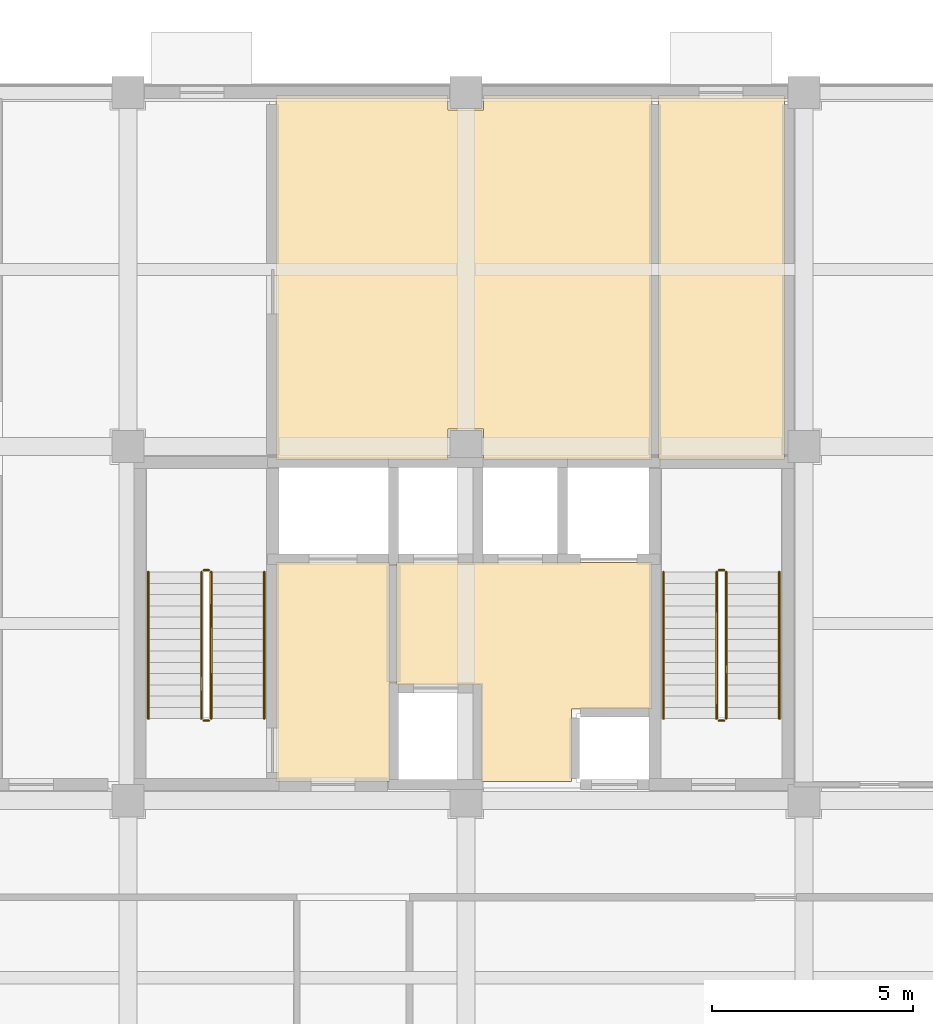
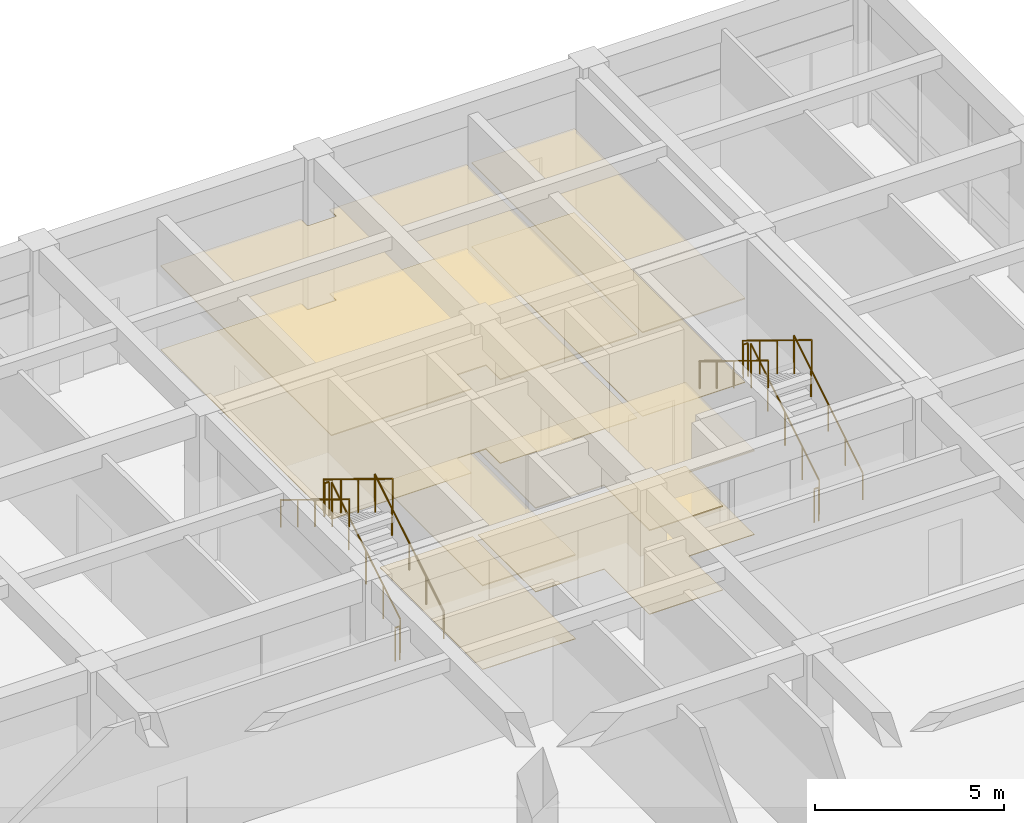
# One storey, part 57 of 58: 12 railings, 8 coverings.
"""IFC4 building model written with IfcOpenShell, lengths in metres."""

from ifc_helpers import new_model, si_unit, direction, frame, origin, origin_2d, place, context, subcontext, project, spatial, polyline, circle, outline, extrude, material, layer, layer_set, type_object, element, save


model = new_model("IFC4")

# Units and contexts
model_context = context("Model", 3, precision=1e-05, world=origin(), true_north=direction((0.0, 1.0)))
body_context = subcontext(model_context, "Body", "Model", "MODEL_VIEW")
ifc_project = project(units=[si_unit("LENGTHUNIT", "METRE"), si_unit("AREAUNIT", "SQUARE_METRE"), si_unit("VOLUMEUNIT", "CUBIC_METRE"), si_unit("PLANEANGLEUNIT", "RADIAN"), si_unit("MASSUNIT", "GRAM", prefix="KILO")], contexts=[model_context])

# Site, building, storey
site_placement = place(None, origin())
site = spatial("IfcSite", under=ifc_project, at=site_placement, CompositionType="ELEMENT")
building_placement = place(site_placement, origin())
building = spatial("IfcBuilding", under=site, at=building_placement, Name="Kemercrest Conservatory and Botanical Centre", CompositionType="ELEMENT")
storey_placement = place(building_placement, origin())
storey = spatial("IfcBuildingStorey", under=building, at=storey_placement, Name="L00", CompositionType="ELEMENT", Elevation=0.0)

# Coverings
ifc_material_1 = material(Name="Perforated acoustic gypsum and mineral-fibre suspended ceiling", Category="gypsum")
ifc_layer_1 = layer(ifc_material_1, 0.034912109375)
ifc_layer_set_1 = layer_set([ifc_layer_1], Name="Perforated acoustic gypsum and mineral-fibre suspended ceiling")
covering_type_1 = type_object("IfcCoveringType", Name="CV-CLG035", PredefinedType="CEILING", material=ifc_layer_set_1)
covering_1_placement = place(storey_placement, frame((0.0, 0.0, 2.699951171875)))
element("IfcCovering", 1, at=covering_1_placement, inside=storey, type_object=covering_type_1, Name="Firefighting Lobby suspended acoustic ceiling", PredefinedType="CEILING", context=body_context, shape_type="SweptSolid", body=[
    extrude(outline(polyline([(154.47998046875, 105.280029296875), (157.320068359375, 105.280029296875), (157.320068359375, 110.719970703125), (154.47998046875, 110.719970703125), (154.47998046875, 105.280029296875)])), origin(), (0.0, 0.0, 1.0), 0.03515625),
])
covering_2_placement = place(storey_placement, frame((0.0, 0.0, 2.699951171875)))
element("IfcCovering", 2, at=covering_2_placement, inside=storey, type_object=covering_type_1, Name="Tower Lift Lobby suspended acoustic ceiling", PredefinedType="CEILING", context=body_context, shape_type="SweptSolid", body=[
    extrude(outline(polyline([(159.580078125, 107.679931640625), (159.580078125, 105.280029296875), (161.820068359375, 105.280029296875), (161.820068359375, 107.080078125), (163.820068359375, 107.080078125), (163.820068359375, 110.719970703125), (157.47998046875, 110.719970703125), (157.47998046875, 107.679931640625), (159.580078125, 107.679931640625)])), origin(), (0.0, 0.0, 1.0), 0.03515625),
])
covering_3_placement = place(storey_placement, frame((0.0, 0.0, 2.699951171875)))
element("IfcCovering", 3, at=covering_3_placement, inside=storey, type_object=covering_type_1, Name="North Exit Passage B suspended acoustic ceiling", PredefinedType="CEILING", context=body_context, shape_type="SweptSolid", body=[
    extrude(outline(polyline([(163.97998046875, 113.280029296875), (167.1201171875, 113.280029296875), (167.1201171875, 122.320068359375), (163.97998046875, 122.320068359375), (163.97998046875, 113.280029296875)])), origin(), (0.0, 0.0, 1.0), 0.03515625),
])
covering_4_placement = place(storey_placement, frame((0.0, 0.0, 2.699951171875)))
element("IfcCovering", 4, at=covering_4_placement, inside=storey, type_object=covering_type_1, Name="Fire Command Room suspended acoustic ceiling", PredefinedType="CEILING", context=body_context, shape_type="SweptSolid", body=[
    extrude(outline(polyline([(159.639892578125, 113.280029296875), (163.820068359375, 113.280029296875), (163.820068359375, 122.320068359375), (159.639892578125, 122.320068359375), (159.639892578125, 121.9599609375), (158.760009765625, 121.9599609375), (158.760009765625, 122.320068359375), (154.47998046875, 122.320068359375), (154.47998046875, 113.280029296875), (158.760009765625, 113.280029296875), (158.760009765625, 114.0400390625), (159.639892578125, 114.0400390625), (159.639892578125, 113.280029296875)])), origin(), (0.0, 0.0, 1.0), 0.03515625),
])
ifc_material_2 = material(Name="Polished limestone terrazzo and seamless laboratory epoxy flooring", Category="masonry")
ifc_layer_2 = layer(ifc_material_2, 0.02001953125)
ifc_layer_set_2 = layer_set([ifc_layer_2], Name="Polished limestone terrazzo and seamless laboratory epoxy flooring")
covering_type_2 = type_object("IfcCoveringType", Name="CV-FLR020", PredefinedType="FLOORING", material=ifc_layer_set_2)
covering_5_placement = place(storey_placement, origin())
element("IfcCovering", 5, at=covering_5_placement, inside=storey, type_object=covering_type_2, Name="Firefighting Lobby floor finish", PredefinedType="FLOORING", context=body_context, shape_type="SweptSolid", body=[
    extrude(outline(polyline([(154.47998046875, 105.280029296875), (157.320068359375, 105.280029296875), (157.320068359375, 110.719970703125), (154.47998046875, 110.719970703125), (154.47998046875, 105.280029296875)])), origin(), (0.0, 0.0, 1.0), 0.02001953125),
])
covering_6_placement = place(storey_placement, origin())
element("IfcCovering", 6, at=covering_6_placement, inside=storey, type_object=covering_type_2, Name="Tower Lift Lobby floor finish", PredefinedType="FLOORING", context=body_context, shape_type="SweptSolid", body=[
    extrude(outline(polyline([(159.580078125, 107.679931640625), (159.580078125, 105.280029296875), (161.820068359375, 105.280029296875), (161.820068359375, 107.080078125), (163.820068359375, 107.080078125), (163.820068359375, 110.719970703125), (157.47998046875, 110.719970703125), (157.47998046875, 107.679931640625), (159.580078125, 107.679931640625)])), origin(), (0.0, 0.0, 1.0), 0.02001953125),
])
covering_7_placement = place(storey_placement, origin())
element("IfcCovering", 7, at=covering_7_placement, inside=storey, type_object=covering_type_2, Name="North Exit Passage B floor finish", PredefinedType="FLOORING", context=body_context, shape_type="SweptSolid", body=[
    extrude(outline(polyline([(163.97998046875, 113.280029296875), (167.1201171875, 113.280029296875), (167.1201171875, 122.320068359375), (163.97998046875, 122.320068359375), (163.97998046875, 113.280029296875)])), origin(), (0.0, 0.0, 1.0), 0.02001953125),
])
covering_8_placement = place(storey_placement, origin())
element("IfcCovering", 8, at=covering_8_placement, inside=storey, type_object=covering_type_2, Name="Fire Command Room floor finish", PredefinedType="FLOORING", context=body_context, shape_type="SweptSolid", body=[
    extrude(outline(polyline([(159.639892578125, 113.280029296875), (163.820068359375, 113.280029296875), (163.820068359375, 122.320068359375), (159.639892578125, 122.320068359375), (159.639892578125, 121.9599609375), (158.760009765625, 121.9599609375), (158.760009765625, 122.320068359375), (154.47998046875, 122.320068359375), (154.47998046875, 113.280029296875), (158.760009765625, 113.280029296875), (158.760009765625, 114.0400390625), (159.639892578125, 114.0400390625), (159.639892578125, 113.280029296875)])), origin(), (0.0, 0.0, 1.0), 0.02001953125),
])

# Railings
ifc_material_3 = material(Name="Painted galvanized steel tubular stair guardrail", Category="steel")
railing_type_1 = type_object("IfcRailingType", Name="GR-STR110", PredefinedType="GUARDRAIL", material=ifc_material_3)
railing_1_placement = place(storey_placement, frame((152.8701171875, 106.840087890625, 0.17138671875)))
element("IfcRailing", 9, at=railing_1_placement, inside=storey, type_object=railing_type_1, Name="L00 ST-V4A stair guard 1", PredefinedType="GUARDRAIL", context=body_context, shape_type="SweptSolid", body=[
    extrude(circle(Radius=0.02392578125, at=origin_2d()), frame((0.0, 0.0, 1.076171875), z_axis=(0.0, 0.852850264322, 0.5221555579), x_axis=(-1.0, 0.0, 0.0)), (0.0, 0.0, 1.0), 4.267822265625),
    extrude(circle(Radius=0.02099609375, at=origin_2d()), origin(), (0.0, 0.0, 1.0), 1.052001953125),
    extrude(circle(Radius=0.02099609375, at=origin_2d()), frame((0.0, 0.909912109375, 0.55712890625)), (0.0, 0.0, 1.0), 1.052001953125),
    extrude(circle(Radius=0.02099609375, at=origin_2d()), frame((0.0, 1.81982421875, 1.1142578125)), (0.0, 0.0, 1.0), 1.052001953125),
    extrude(circle(Radius=0.02099609375, at=origin_2d()), frame((0.0, 2.72998046875, 1.67138671875)), (0.0, 0.0, 1.0), 1.052001953125),
    extrude(circle(Radius=0.02099609375, at=origin_2d()), frame((0.0, 3.639892578125, 2.228515625)), (0.0, 0.0, 1.0), 1.052001953125),
])
railing_2_placement = place(storey_placement, frame((152.820068359375, 110.530029296875, 2.39990234375)))
element("IfcRailing", 10, at=railing_2_placement, inside=storey, type_object=railing_type_1, Name="L00 ST-V4A stair guard 2", PredefinedType="GUARDRAIL", context=body_context, shape_type="SweptSolid", body=[
    extrude(circle(Radius=0.02392578125, at=origin_2d()), frame((0.0, 0.0, 1.076171875), z_axis=(-1.0, 0.0, 0.0), x_axis=(0.0, -1.0, 0.0)), (0.0, 0.0, 1.0), 0.14013671875),
    extrude(circle(Radius=0.02099609375, at=origin_2d()), origin(), (0.0, 0.0, 1.0), 1.052001953125),
    extrude(circle(Radius=0.02099609375, at=origin_2d()), frame((-0.14013671875, 0.0, 0.0)), (0.0, 0.0, 1.0), 1.052001953125),
])
railing_3_placement = place(storey_placement, frame((152.6298828125, 110.47998046875, 2.571533203125)))
element("IfcRailing", 11, at=railing_3_placement, inside=storey, type_object=railing_type_1, Name="L00 ST-V4A stair guard 3", PredefinedType="GUARDRAIL", context=body_context, shape_type="SweptSolid", body=[
    extrude(circle(Radius=0.02392578125, at=origin_2d()), frame((0.0, 0.0, 1.076171875), z_axis=(0.0, -0.852850264322, 0.5221555579), x_axis=(1.0, 0.0, 0.0)), (0.0, 0.0, 1.0), 4.267822265625),
    extrude(circle(Radius=0.02099609375, at=origin_2d()), origin(), (0.0, 0.0, 1.0), 1.052001953125),
    extrude(circle(Radius=0.02099609375, at=origin_2d()), frame((0.0, -0.909912109375, 0.55712890625)), (0.0, 0.0, 1.0), 1.052001953125),
    extrude(circle(Radius=0.02099609375, at=origin_2d()), frame((0.0, -1.81982421875, 1.1142578125)), (0.0, 0.0, 1.0), 1.052001953125),
    extrude(circle(Radius=0.02099609375, at=origin_2d()), frame((0.0, -2.72998046875, 1.67138671875)), (0.0, 0.0, 1.0), 1.052001953125),
    extrude(circle(Radius=0.02099609375, at=origin_2d()), frame((0.0, -3.639892578125, 2.228515625)), (0.0, 0.0, 1.0), 1.052001953125),
])
railing_4_placement = place(storey_placement, frame((152.820068359375, 106.7900390625, 0.0)))
element("IfcRailing", 12, at=railing_4_placement, inside=storey, type_object=railing_type_1, Name="L00 ST-V4A stair guard 4", PredefinedType="GUARDRAIL", context=body_context, shape_type="SweptSolid", body=[
    extrude(circle(Radius=0.02392578125, at=origin_2d()), frame((0.0, 0.0, 1.076171875), z_axis=(-1.0, 0.0, 0.0), x_axis=(0.0, -1.0, 0.0)), (0.0, 0.0, 1.0), 0.14013671875),
    extrude(circle(Radius=0.02099609375, at=origin_2d()), origin(), (0.0, 0.0, 1.0), 1.052001953125),
    extrude(circle(Radius=0.02099609375, at=origin_2d()), frame((-0.14013671875, 0.0, 0.0)), (0.0, 0.0, 1.0), 1.052001953125),
])
railing_5_placement = place(storey_placement, frame((165.669921875, 106.840087890625, 0.17138671875)))
element("IfcRailing", 13, at=railing_5_placement, inside=storey, type_object=railing_type_1, Name="L00 ST-V4B stair guard 1", PredefinedType="GUARDRAIL", context=body_context, shape_type="SweptSolid", body=[
    extrude(circle(Radius=0.02392578125, at=origin_2d()), frame((0.0, 0.0, 1.076171875), z_axis=(0.0, 0.852850264322, 0.5221555579), x_axis=(-1.0, 0.0, 0.0)), (0.0, 0.0, 1.0), 4.267822265625),
    extrude(circle(Radius=0.02099609375, at=origin_2d()), origin(), (0.0, 0.0, 1.0), 1.052001953125),
    extrude(circle(Radius=0.02099609375, at=origin_2d()), frame((0.0, 0.909912109375, 0.55712890625)), (0.0, 0.0, 1.0), 1.052001953125),
    extrude(circle(Radius=0.02099609375, at=origin_2d()), frame((0.0, 1.81982421875, 1.1142578125)), (0.0, 0.0, 1.0), 1.052001953125),
    extrude(circle(Radius=0.02099609375, at=origin_2d()), frame((0.0, 2.72998046875, 1.67138671875)), (0.0, 0.0, 1.0), 1.052001953125),
    extrude(circle(Radius=0.02099609375, at=origin_2d()), frame((0.0, 3.639892578125, 2.228515625)), (0.0, 0.0, 1.0), 1.052001953125),
])
railing_6_placement = place(storey_placement, frame((165.6201171875, 110.530029296875, 2.39990234375)))
element("IfcRailing", 14, at=railing_6_placement, inside=storey, type_object=railing_type_1, Name="L00 ST-V4B stair guard 2", PredefinedType="GUARDRAIL", context=body_context, shape_type="SweptSolid", body=[
    extrude(circle(Radius=0.02392578125, at=origin_2d()), frame((0.0, 0.0, 1.076171875), z_axis=(-1.0, 0.0, 0.0), x_axis=(0.0, -1.0, 0.0)), (0.0, 0.0, 1.0), 0.14013671875),
    extrude(circle(Radius=0.02099609375, at=origin_2d()), origin(), (0.0, 0.0, 1.0), 1.052001953125),
    extrude(circle(Radius=0.02099609375, at=origin_2d()), frame((-0.14013671875, 0.0, 0.0)), (0.0, 0.0, 1.0), 1.052001953125),
])
railing_7_placement = place(storey_placement, frame((165.429931640625, 110.47998046875, 2.571533203125)))
element("IfcRailing", 15, at=railing_7_placement, inside=storey, type_object=railing_type_1, Name="L00 ST-V4B stair guard 3", PredefinedType="GUARDRAIL", context=body_context, shape_type="SweptSolid", body=[
    extrude(circle(Radius=0.02392578125, at=origin_2d()), frame((0.0, 0.0, 1.076171875), z_axis=(0.0, -0.852850264322, 0.5221555579), x_axis=(1.0, 0.0, 0.0)), (0.0, 0.0, 1.0), 4.267822265625),
    extrude(circle(Radius=0.02099609375, at=origin_2d()), origin(), (0.0, 0.0, 1.0), 1.052001953125),
    extrude(circle(Radius=0.02099609375, at=origin_2d()), frame((0.0, -0.909912109375, 0.55712890625)), (0.0, 0.0, 1.0), 1.052001953125),
    extrude(circle(Radius=0.02099609375, at=origin_2d()), frame((0.0, -1.81982421875, 1.1142578125)), (0.0, 0.0, 1.0), 1.052001953125),
    extrude(circle(Radius=0.02099609375, at=origin_2d()), frame((0.0, -2.72998046875, 1.67138671875)), (0.0, 0.0, 1.0), 1.052001953125),
    extrude(circle(Radius=0.02099609375, at=origin_2d()), frame((0.0, -3.639892578125, 2.228515625)), (0.0, 0.0, 1.0), 1.052001953125),
])
railing_8_placement = place(storey_placement, frame((165.6201171875, 106.7900390625, 0.0)))
element("IfcRailing", 16, at=railing_8_placement, inside=storey, type_object=railing_type_1, Name="L00 ST-V4B stair guard 4", PredefinedType="GUARDRAIL", context=body_context, shape_type="SweptSolid", body=[
    extrude(circle(Radius=0.02392578125, at=origin_2d()), frame((0.0, 0.0, 1.076171875), z_axis=(-1.0, 0.0, 0.0), x_axis=(0.0, -1.0, 0.0)), (0.0, 0.0, 1.0), 0.14013671875),
    extrude(circle(Radius=0.02099609375, at=origin_2d()), origin(), (0.0, 0.0, 1.0), 1.052001953125),
    extrude(circle(Radius=0.02099609375, at=origin_2d()), frame((-0.14013671875, 0.0, 0.0)), (0.0, 0.0, 1.0), 1.052001953125),
])
ifc_material_4 = material(Name="Brushed stainless steel wall-mounted handrail", Category="steel")
railing_type_2 = type_object("IfcRailingType", Name="HR-STR090", PredefinedType="HANDRAIL", material=ifc_material_4)
railing_9_placement = place(storey_placement, frame((154.18994140625, 106.840087890625, 0.17138671875)))
element("IfcRailing", 17, at=railing_9_placement, inside=storey, type_object=railing_type_2, Name="L00 ST-V4A stair handrail 1", PredefinedType="HANDRAIL", context=body_context, shape_type="SweptSolid", body=[
    extrude(circle(Radius=0.02392578125, at=origin_2d()), frame((0.0, 0.0, 0.8759765625), z_axis=(0.0, 0.852850264322, 0.5221555579), x_axis=(-1.0, 0.0, 0.0)), (0.0, 0.0, 1.0), 4.267822265625),
    extrude(circle(Radius=0.02099609375, at=origin_2d()), origin(), (0.0, 0.0, 1.0), 0.851806640625),
    extrude(circle(Radius=0.02099609375, at=origin_2d()), frame((0.0, 0.909912109375, 0.55712890625)), (0.0, 0.0, 1.0), 0.851806640625),
    extrude(circle(Radius=0.02099609375, at=origin_2d()), frame((0.0, 1.81982421875, 1.1142578125)), (0.0, 0.0, 1.0), 0.851806640625),
    extrude(circle(Radius=0.02099609375, at=origin_2d()), frame((0.0, 2.72998046875, 1.67138671875)), (0.0, 0.0, 1.0), 0.851806640625),
    extrude(circle(Radius=0.02099609375, at=origin_2d()), frame((0.0, 3.639892578125, 2.228515625)), (0.0, 0.0, 1.0), 0.851806640625),
])
railing_10_placement = place(storey_placement, frame((151.31005859375, 110.47998046875, 2.571533203125)))
element("IfcRailing", 18, at=railing_10_placement, inside=storey, type_object=railing_type_2, Name="L00 ST-V4A stair handrail 2", PredefinedType="HANDRAIL", context=body_context, shape_type="SweptSolid", body=[
    extrude(circle(Radius=0.02392578125, at=origin_2d()), frame((0.0, 0.0, 0.8759765625), z_axis=(0.0, -0.852850264322, 0.5221555579), x_axis=(1.0, 0.0, 0.0)), (0.0, 0.0, 1.0), 4.267822265625),
    extrude(circle(Radius=0.02099609375, at=origin_2d()), origin(), (0.0, 0.0, 1.0), 0.851806640625),
    extrude(circle(Radius=0.02099609375, at=origin_2d()), frame((0.0, -0.909912109375, 0.55712890625)), (0.0, 0.0, 1.0), 0.851806640625),
    extrude(circle(Radius=0.02099609375, at=origin_2d()), frame((0.0, -1.81982421875, 1.1142578125)), (0.0, 0.0, 1.0), 0.851806640625),
    extrude(circle(Radius=0.02099609375, at=origin_2d()), frame((0.0, -2.72998046875, 1.67138671875)), (0.0, 0.0, 1.0), 0.851806640625),
    extrude(circle(Radius=0.02099609375, at=origin_2d()), frame((0.0, -3.639892578125, 2.228515625)), (0.0, 0.0, 1.0), 0.851806640625),
])
railing_11_placement = place(storey_placement, frame((166.989990234375, 106.840087890625, 0.17138671875)))
element("IfcRailing", 19, at=railing_11_placement, inside=storey, type_object=railing_type_2, Name="L00 ST-V4B stair handrail 1", PredefinedType="HANDRAIL", context=body_context, shape_type="SweptSolid", body=[
    extrude(circle(Radius=0.02392578125, at=origin_2d()), frame((0.0, 0.0, 0.8759765625), z_axis=(0.0, 0.852850264322, 0.5221555579), x_axis=(-1.0, 0.0, 0.0)), (0.0, 0.0, 1.0), 4.267822265625),
    extrude(circle(Radius=0.02099609375, at=origin_2d()), origin(), (0.0, 0.0, 1.0), 0.851806640625),
    extrude(circle(Radius=0.02099609375, at=origin_2d()), frame((0.0, 0.909912109375, 0.55712890625)), (0.0, 0.0, 1.0), 0.851806640625),
    extrude(circle(Radius=0.02099609375, at=origin_2d()), frame((0.0, 1.81982421875, 1.1142578125)), (0.0, 0.0, 1.0), 0.851806640625),
    extrude(circle(Radius=0.02099609375, at=origin_2d()), frame((0.0, 2.72998046875, 1.67138671875)), (0.0, 0.0, 1.0), 0.851806640625),
    extrude(circle(Radius=0.02099609375, at=origin_2d()), frame((0.0, 3.639892578125, 2.228515625)), (0.0, 0.0, 1.0), 0.851806640625),
])
railing_12_placement = place(storey_placement, frame((164.110107421875, 110.47998046875, 2.571533203125)))
element("IfcRailing", 20, at=railing_12_placement, inside=storey, type_object=railing_type_2, Name="L00 ST-V4B stair handrail 2", PredefinedType="HANDRAIL", context=body_context, shape_type="SweptSolid", body=[
    extrude(circle(Radius=0.02392578125, at=origin_2d()), frame((0.0, 0.0, 0.8759765625), z_axis=(0.0, -0.852850264322, 0.5221555579), x_axis=(1.0, 0.0, 0.0)), (0.0, 0.0, 1.0), 4.267822265625),
    extrude(circle(Radius=0.02099609375, at=origin_2d()), origin(), (0.0, 0.0, 1.0), 0.851806640625),
    extrude(circle(Radius=0.02099609375, at=origin_2d()), frame((0.0, -0.909912109375, 0.55712890625)), (0.0, 0.0, 1.0), 0.851806640625),
    extrude(circle(Radius=0.02099609375, at=origin_2d()), frame((0.0, -1.81982421875, 1.1142578125)), (0.0, 0.0, 1.0), 0.851806640625),
    extrude(circle(Radius=0.02099609375, at=origin_2d()), frame((0.0, -2.72998046875, 1.67138671875)), (0.0, 0.0, 1.0), 0.851806640625),
    extrude(circle(Radius=0.02099609375, at=origin_2d()), frame((0.0, -3.639892578125, 2.228515625)), (0.0, 0.0, 1.0), 0.851806640625),
])

save(model, "model.ifc")
